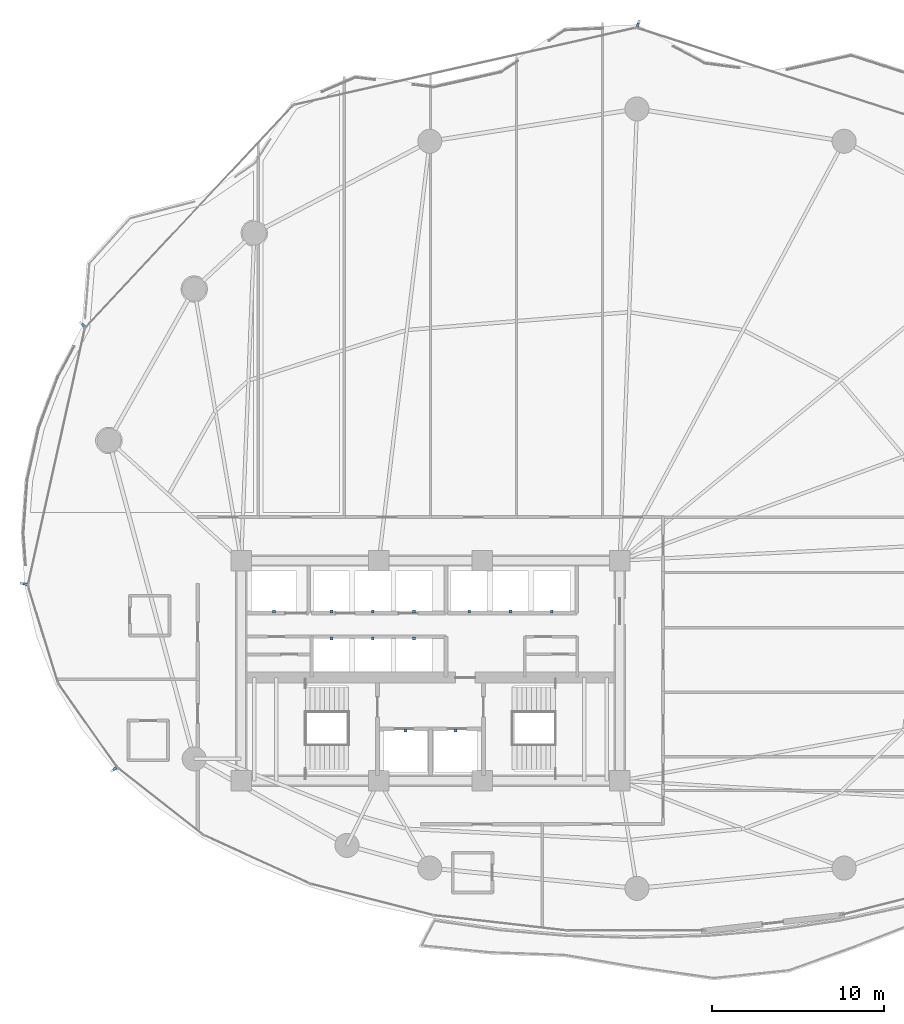
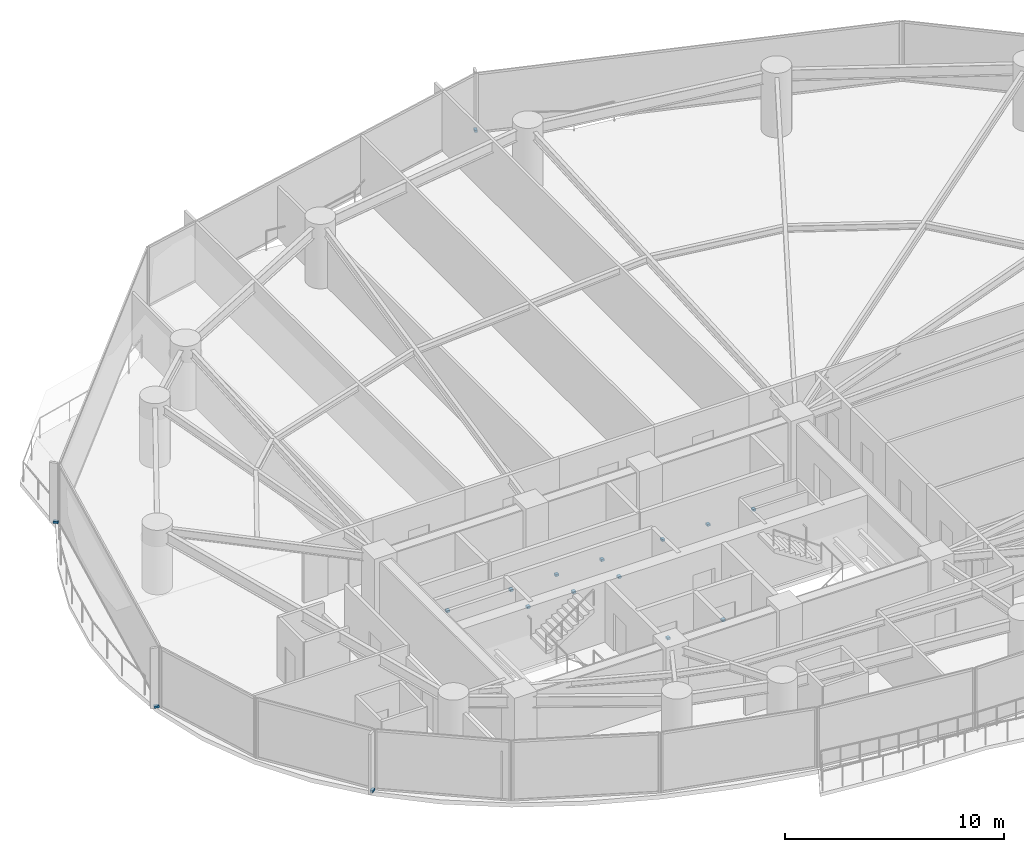
# One storey, part 29 of 34: 16 discrete accessories.
"""IFC4 building model written with IfcOpenShell, lengths in metres."""

from ifc_helpers import new_model, si_unit, direction, frame, origin, origin_2d, place, context, subcontext, project, spatial, rectangle, extrude, material, type_object, element, save


model = new_model("IFC4")

# Units and contexts
model_context = context("Model", 3, precision=1e-05, world=origin(), true_north=direction((0.0, 1.0)))
body_context = subcontext(model_context, "Body", "Model", "MODEL_VIEW")
ifc_project = project(units=[si_unit("LENGTHUNIT", "METRE"), si_unit("AREAUNIT", "SQUARE_METRE"), si_unit("VOLUMEUNIT", "CUBIC_METRE"), si_unit("PLANEANGLEUNIT", "RADIAN"), si_unit("MASSUNIT", "GRAM", prefix="KILO")], contexts=[model_context])

# Site, building, storey
site_placement = place(None, origin())
site = spatial("IfcSite", under=ifc_project, at=site_placement, CompositionType="ELEMENT")
building_placement = place(site_placement, origin())
building = spatial("IfcBuilding", under=site, at=building_placement, Name="Kazevale Care Tower and Concert Hall", CompositionType="ELEMENT")
storey_placement = place(building_placement, frame((0.0, 0.0, 67.199951171875)))
storey = spatial("IfcBuildingStorey", under=building, at=storey_placement, Name="L17", CompositionType="ELEMENT", Elevation=67.199951171875)

# Discrete accessories
ifc_material = material(Name="Stainless Steel 316", Category="steel")
discrete_accessory_type_1 = type_object("IfcDiscreteAccessoryType", Name="Facade Fin Stainless Anchor Bracket BRK-1", PredefinedType="BRACKET", material=ifc_material)
for number, where, z_axis, x_axis, name in (
    (1, (14.656005859375, 24.298828125, 0.0), (0.0, 0.0, 1.0), (-0.817547124842, -0.575861700985, 0.0), "cw:L17:f11:brk"),
    (2, (9.44677734375, 35.03369140625, 0.0), (0.0, 0.0, 1.0), (-0.97629600712, 0.216439613938, 0.0), "cw:L17:f13:brk"),
    (3, (12.8251953125, 50.068359375, 0.0), (0.0, 0.0, 1.0), (-0.730400739673, 0.683018857343, 0.0), "cw:L17:f14:brk"),
    (4, (45.04931640625, 67.517333984375, 0.0), (0.0, 0.0, 1.0), (0.30785482931, 0.951433341896, 0.0), "cw:L17:f16:brk"),
):
    element("IfcDiscreteAccessory", number, at=place(storey_placement, frame(where, z_axis=z_axis, x_axis=x_axis)), inside=storey, type_object=discrete_accessory_type_1, Name=name, PredefinedType="BRACKET", context=body_context, shape_type="SweptSolid", body=[
        extrude(rectangle(XDim=0.239990234375, YDim=0.139892578125, at=origin_2d()), origin(), (0.0, 0.0, 1.0), 0.1201171875),
    ])
discrete_accessory_type_2 = type_object("IfcDiscreteAccessoryType", Name="Hoistway Guide-Rail Wall Bracket HBRK-1", PredefinedType="BRACKET", material=ifc_material)
for number, where, z_axis, x_axis, name in (
    (5, (31.550048828125, 26.52001953125, 1.239990234375), (0.0, 0.0, 1.0), (1.0, 0.0, 0.0), "hbrk:FFL-1:L17"),
    (6, (34.449951171875, 26.52001953125, 1.239990234375), (0.0, 0.0, 1.0), (1.0, 0.0, 0.0), "hbrk:FFL-2:L17"),
    (7, (23.89990234375, 33.449951171875, 1.239990234375), (0.0, 0.0, 1.0), (1.0, 0.0, 0.0), "hbrk:SVL-1:L17"),
    (8, (27.25, 33.449951171875, 1.239990234375), (0.0, 0.0, 1.0), (1.0, 0.0, 0.0), "hbrk:PL-1:L17"),
    (9, (29.64990234375, 33.449951171875, 1.239990234375), (0.0, 0.0, 1.0), (1.0, 0.0, 0.0), "hbrk:PL-2:L17"),
    (10, (32.050048828125, 33.449951171875, 1.239990234375), (0.0, 0.0, 1.0), (1.0, 0.0, 0.0), "hbrk:PL-3:L17"),
    (11, (35.25, 33.449951171875, 1.239990234375), (0.0, 0.0, 1.0), (1.0, 0.0, 0.0), "hbrk:PM-1:L17"),
    (12, (37.64990234375, 33.449951171875, 1.239990234375), (0.0, 0.0, 1.0), (1.0, 0.0, 0.0), "hbrk:PM-2:L17"),
    (13, (40.050048828125, 33.449951171875, 1.239990234375), (0.0, 0.0, 1.0), (1.0, 0.0, 0.0), "hbrk:PM-3:L17"),
    (14, (27.25, 31.8798828125, 1.239990234375), (0.0, 0.0, 1.0), (1.0, 0.0, 0.0), "hbrk:PH-1:L17"),
    (15, (29.64990234375, 31.8798828125, 1.239990234375), (0.0, 0.0, 1.0), (1.0, 0.0, 0.0), "hbrk:PH-2:L17"),
    (16, (32.050048828125, 31.8798828125, 1.239990234375), (0.0, 0.0, 1.0), (1.0, 0.0, 0.0), "hbrk:PH-3:L17"),
):
    element("IfcDiscreteAccessory", number, at=place(storey_placement, frame(where, z_axis=z_axis, x_axis=x_axis)), inside=storey, type_object=discrete_accessory_type_2, Name=name, PredefinedType="BRACKET", context=body_context, shape_type="SweptSolid", body=[
        extrude(rectangle(XDim=0.159912109375, YDim=0.179931640625, at=origin_2d()), origin(), (0.0, 0.0, 1.0), 0.1201171875),
    ])

save(model, "model.ifc")
